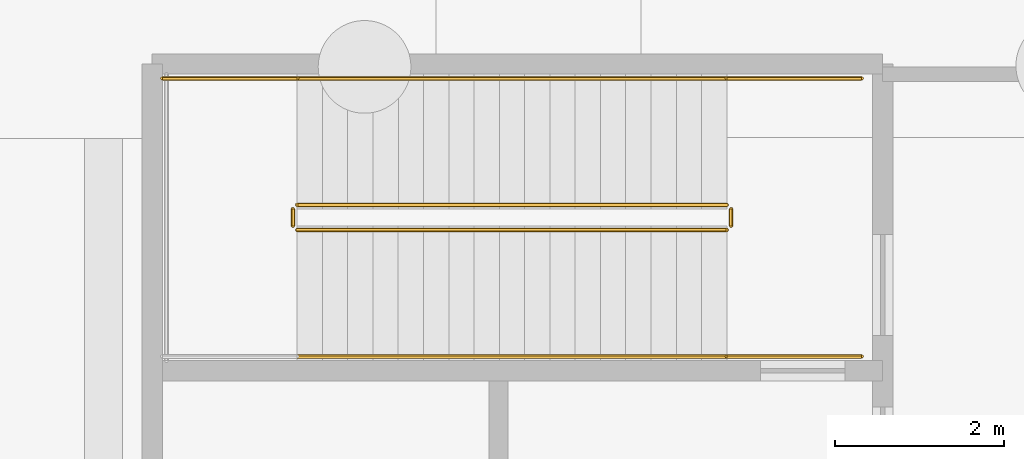
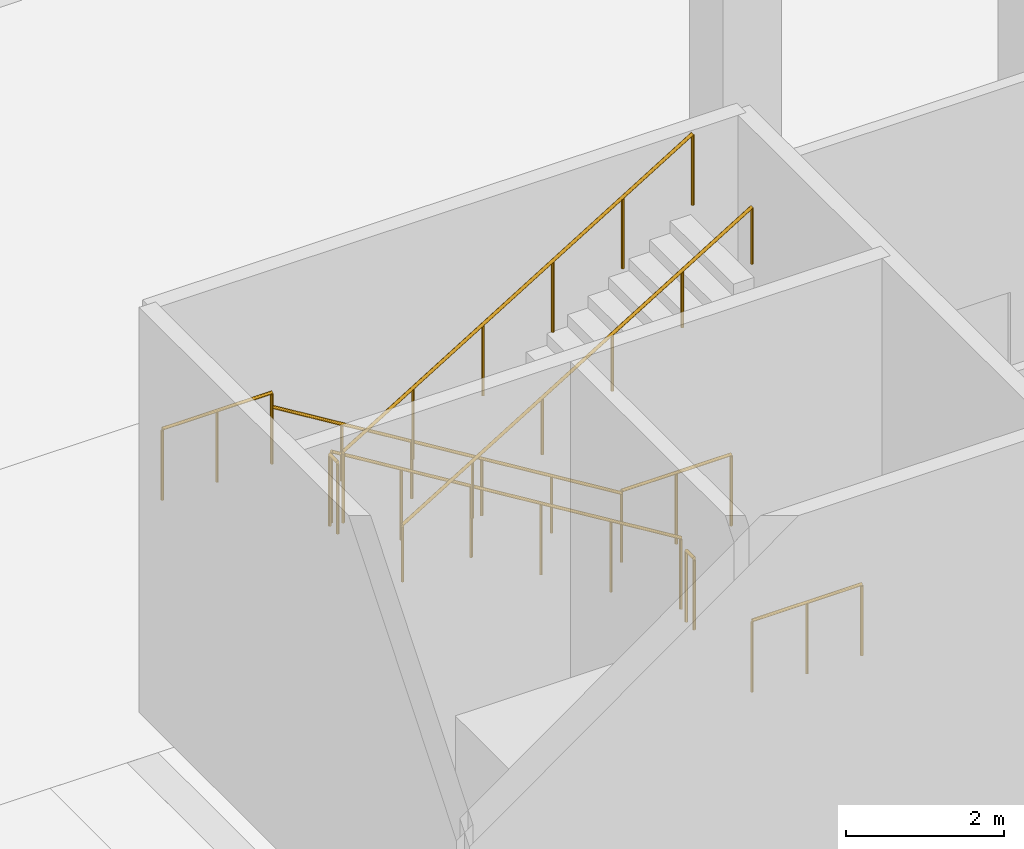
# One storey, part 112 of 117: 9 railings.
"""IFC4 building model written with IfcOpenShell, lengths in metres."""

from ifc_helpers import new_model, si_unit, direction, frame, origin, origin_2d, place, context, subcontext, project, spatial, circle, extrude, material, type_object, element, save


model = new_model("IFC4")

# Units and contexts
model_context = context("Model", 3, precision=1e-05, world=origin(), true_north=direction((0.0, 1.0)))
body_context = subcontext(model_context, "Body", "Model", "MODEL_VIEW")
ifc_project = project(units=[si_unit("LENGTHUNIT", "METRE"), si_unit("AREAUNIT", "SQUARE_METRE"), si_unit("VOLUMEUNIT", "CUBIC_METRE"), si_unit("PLANEANGLEUNIT", "RADIAN"), si_unit("MASSUNIT", "GRAM", prefix="KILO")], contexts=[model_context])

# Site, building, storey
site_placement = place(None, origin())
site = spatial("IfcSite", under=ifc_project, at=site_placement, CompositionType="ELEMENT")
building_placement = place(site_placement, origin())
building = spatial("IfcBuilding", under=site, at=building_placement, Name="Kamomehara Wholesale Market", CompositionType="ELEMENT")
storey_placement = place(building_placement, origin())
storey = spatial("IfcBuildingStorey", under=building, at=storey_placement, Name="L00", CompositionType="ELEMENT", Elevation=0.0)

# Railings
ifc_material_1 = material(Name="Steel SN400B", Category="steel")
railing_type_1 = type_object("IfcRailingType", Name="RAL-HND-900", PredefinedType="HANDRAIL", material=ifc_material_1)
railing_1_placement = place(storey_placement, frame((176.75, 81.25, 0.183349609375)))
element("IfcRailing", 1, at=railing_1_placement, inside=storey, type_object=railing_type_1, Name="L00 ST-09 stair handrail 1", PredefinedType="HANDRAIL", context=body_context, shape_type="SweptSolid", body=[
    extrude(circle(Radius=0.02392578125, at=origin_2d()), frame((0.0, 0.0, 0.8759765625), z_axis=(-0.853283853024, 0.0, 0.521446705012), x_axis=(0.0, -1.0, 0.0)), (0.0, 0.0, 1.0), 5.97705078125),
    extrude(circle(Radius=0.02099609375, at=origin_2d()), origin(), (0.0, 0.0, 1.0), 0.851806640625),
    extrude(circle(Radius=0.02099609375, at=origin_2d()), frame((-1.02001953125, 0.0, 0.623291015625)), (0.0, 0.0, 1.0), 0.851806640625),
    extrude(circle(Radius=0.02099609375, at=origin_2d()), frame((-2.0400390625, 0.0, 1.24658203125)), (0.0, 0.0, 1.0), 0.851806640625),
    extrude(circle(Radius=0.02099609375, at=origin_2d()), frame((-3.06005859375, 0.0, 1.8701171875)), (0.0, 0.0, 1.0), 0.851806640625),
    extrude(circle(Radius=0.02099609375, at=origin_2d()), frame((-4.080078125, 0.0, 2.493408203125)), (0.0, 0.0, 1.0), 0.851806640625),
    extrude(circle(Radius=0.02099609375, at=origin_2d()), frame((-5.10009765625, 0.0, 3.11669921875)), (0.0, 0.0, 1.0), 0.851806640625),
])
railing_2_placement = place(storey_placement, frame((171.64990234375, 77.949951171875, 3.4833984375)))
element("IfcRailing", 2, at=railing_2_placement, inside=storey, type_object=railing_type_1, Name="L00 ST-09 stair handrail 2", PredefinedType="HANDRAIL", context=body_context, shape_type="SweptSolid", body=[
    extrude(circle(Radius=0.02392578125, at=origin_2d()), frame((0.0, 0.0, 0.8759765625), z_axis=(0.853283853024, 0.0, 0.521446705012), x_axis=(0.0, 1.0, 0.0)), (0.0, 0.0, 1.0), 5.97705078125),
    extrude(circle(Radius=0.02099609375, at=origin_2d()), origin(), (0.0, 0.0, 1.0), 0.851806640625),
    extrude(circle(Radius=0.02099609375, at=origin_2d()), frame((1.02001953125, 0.0, 0.623291015625)), (0.0, 0.0, 1.0), 0.851806640625),
    extrude(circle(Radius=0.02099609375, at=origin_2d()), frame((2.0400390625, 0.0, 1.24658203125)), (0.0, 0.0, 1.0), 0.851806640625),
    extrude(circle(Radius=0.02099609375, at=origin_2d()), frame((3.06005859375, 0.0, 1.8701171875)), (0.0, 0.0, 1.0), 0.851806640625),
    extrude(circle(Radius=0.02099609375, at=origin_2d()), frame((4.080078125, 0.0, 2.493408203125)), (0.0, 0.0, 1.0), 0.851806640625),
    extrude(circle(Radius=0.02099609375, at=origin_2d()), frame((5.10009765625, 0.0, 3.11669921875)), (0.0, 0.0, 1.0), 0.851806640625),
])
ifc_material_2 = material(Name="Steel SN400B", Category="steel")
railing_type_2 = type_object("IfcRailingType", Name="RAL-INT-1100", PredefinedType="BALUSTRADE", material=ifc_material_2)
railing_3_placement = place(storey_placement, frame((176.75, 79.75, 0.183349609375)))
element("IfcRailing", 3, at=railing_3_placement, inside=storey, type_object=railing_type_2, Name="L00 ST-09 stair guard 1", PredefinedType="BALUSTRADE", context=body_context, shape_type="SweptSolid", body=[
    extrude(circle(Radius=0.02392578125, at=origin_2d()), frame((0.0, 0.0, 1.09619140625), z_axis=(-0.853283853024, 0.0, 0.521446705012), x_axis=(0.0, -1.0, 0.0)), (0.0, 0.0, 1.0), 5.97705078125),
    extrude(circle(Radius=0.02099609375, at=origin_2d()), origin(), (0.0, 0.0, 1.0), 1.072021484375),
    extrude(circle(Radius=0.02099609375, at=origin_2d()), frame((-1.02001953125, 0.0, 0.623291015625)), (0.0, 0.0, 1.0), 1.072021484375),
    extrude(circle(Radius=0.02099609375, at=origin_2d()), frame((-2.0400390625, 0.0, 1.24658203125)), (0.0, 0.0, 1.0), 1.072021484375),
    extrude(circle(Radius=0.02099609375, at=origin_2d()), frame((-3.06005859375, 0.0, 1.8701171875)), (0.0, 0.0, 1.0), 1.072021484375),
    extrude(circle(Radius=0.02099609375, at=origin_2d()), frame((-4.080078125, 0.0, 2.493408203125)), (0.0, 0.0, 1.0), 1.072021484375),
    extrude(circle(Radius=0.02099609375, at=origin_2d()), frame((-5.10009765625, 0.0, 3.11669921875)), (0.0, 0.0, 1.0), 1.072021484375),
])
railing_4_placement = place(storey_placement, frame((171.60009765625, 79.699951171875, 3.300048828125)))
element("IfcRailing", 4, at=railing_4_placement, inside=storey, type_object=railing_type_2, Name="L00 ST-09 stair guard 2", PredefinedType="BALUSTRADE", context=body_context, shape_type="SweptSolid", body=[
    extrude(circle(Radius=0.02392578125, at=origin_2d()), frame((0.0, 0.0, 1.09619140625), z_axis=(0.0, -1.0, 0.0), x_axis=(1.0, 0.0, 0.0)), (0.0, 0.0, 1.0), 0.199951171875),
    extrude(circle(Radius=0.02099609375, at=origin_2d()), origin(), (0.0, 0.0, 1.0), 1.072021484375),
    extrude(circle(Radius=0.02099609375, at=origin_2d()), frame((0.0, -0.199951171875, 0.0)), (0.0, 0.0, 1.0), 1.072021484375),
])
railing_5_placement = place(storey_placement, frame((171.64990234375, 81.25, 3.300048828125)))
element("IfcRailing", 5, at=railing_5_placement, inside=storey, type_object=railing_type_2, Name="L00 ST-09 stair guard 3", PredefinedType="BALUSTRADE", context=body_context, shape_type="SweptSolid", body=[
    extrude(circle(Radius=0.02392578125, at=origin_2d()), frame((0.0, 0.0, 1.09619140625), z_axis=(-1.0, 0.0, 0.0), x_axis=(0.0, -1.0, 0.0)), (0.0, 0.0, 1.0), 1.599853515625),
    extrude(circle(Radius=0.02099609375, at=origin_2d()), origin(), (0.0, 0.0, 1.0), 1.072021484375),
    extrude(circle(Radius=0.02099609375, at=origin_2d()), frame((-0.7998046875, 0.0, 0.0)), (0.0, 0.0, 1.0), 1.072021484375),
    extrude(circle(Radius=0.02099609375, at=origin_2d()), frame((-1.599853515625, 0.0, 0.0)), (0.0, 0.0, 1.0), 1.072021484375),
])
railing_6_placement = place(storey_placement, frame((171.64990234375, 79.449951171875, 3.4833984375)))
element("IfcRailing", 6, at=railing_6_placement, inside=storey, type_object=railing_type_2, Name="L00 ST-09 stair guard 6", PredefinedType="BALUSTRADE", context=body_context, shape_type="SweptSolid", body=[
    extrude(circle(Radius=0.02392578125, at=origin_2d()), frame((0.0, 0.0, 1.09619140625), z_axis=(0.853283853024, 0.0, 0.521446705012), x_axis=(0.0, 1.0, 0.0)), (0.0, 0.0, 1.0), 5.97705078125),
    extrude(circle(Radius=0.02099609375, at=origin_2d()), origin(), (0.0, 0.0, 1.0), 1.072021484375),
    extrude(circle(Radius=0.02099609375, at=origin_2d()), frame((1.02001953125, 0.0, 0.623291015625)), (0.0, 0.0, 1.0), 1.072021484375),
    extrude(circle(Radius=0.02099609375, at=origin_2d()), frame((2.0400390625, 0.0, 1.24658203125)), (0.0, 0.0, 1.0), 1.072021484375),
    extrude(circle(Radius=0.02099609375, at=origin_2d()), frame((3.06005859375, 0.0, 1.8701171875)), (0.0, 0.0, 1.0), 1.072021484375),
    extrude(circle(Radius=0.02099609375, at=origin_2d()), frame((4.080078125, 0.0, 2.493408203125)), (0.0, 0.0, 1.0), 1.072021484375),
    extrude(circle(Radius=0.02099609375, at=origin_2d()), frame((5.10009765625, 0.0, 3.11669921875)), (0.0, 0.0, 1.0), 1.072021484375),
])
railing_7_placement = place(storey_placement, frame((176.800048828125, 79.699951171875, 0.0)))
element("IfcRailing", 7, at=railing_7_placement, inside=storey, type_object=railing_type_2, Name="L00 ST-09 stair guard 7", PredefinedType="BALUSTRADE", context=body_context, shape_type="SweptSolid", body=[
    extrude(circle(Radius=0.02392578125, at=origin_2d()), frame((0.0, 0.0, 1.09619140625), z_axis=(0.0, -1.0, 0.0), x_axis=(1.0, 0.0, 0.0)), (0.0, 0.0, 1.0), 0.199951171875),
    extrude(circle(Radius=0.02099609375, at=origin_2d()), origin(), (0.0, 0.0, 1.0), 1.072021484375),
    extrude(circle(Radius=0.02099609375, at=origin_2d()), frame((0.0, -0.199951171875, 0.0)), (0.0, 0.0, 1.0), 1.072021484375),
])
for number, where, name in (
    (8, (178.35009765625, 81.25, 0.0), "L00 ST-09 stair guard 8"),
    (9, (178.35009765625, 77.949951171875, 0.0), "L00 ST-09 stair guard 9"),
):
    element("IfcRailing", number, at=place(storey_placement, frame(where)), inside=storey, type_object=railing_type_2, Name=name, PredefinedType="BALUSTRADE", context=body_context, shape_type="SweptSolid", body=[
        extrude(circle(Radius=0.02392578125, at=origin_2d()), frame((0.0, 0.0, 1.09619140625), z_axis=(-1.0, 0.0, 0.0), x_axis=(0.0, -1.0, 0.0)), (0.0, 0.0, 1.0), 1.60009765625),
        extrude(circle(Radius=0.02099609375, at=origin_2d()), origin(), (0.0, 0.0, 1.0), 1.072021484375),
        extrude(circle(Radius=0.02099609375, at=origin_2d()), frame((-0.800048828125, 0.0, 0.0)), (0.0, 0.0, 1.0), 1.072021484375),
        extrude(circle(Radius=0.02099609375, at=origin_2d()), frame((-1.60009765625, 0.0, 0.0)), (0.0, 0.0, 1.0), 1.072021484375),
    ])

save(model, "model.ifc")
